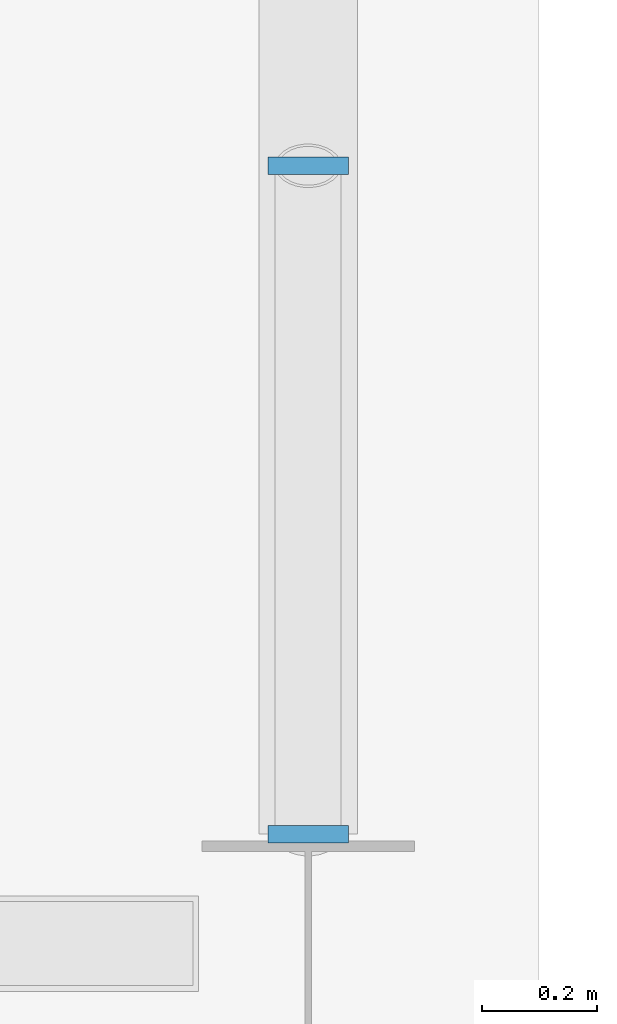
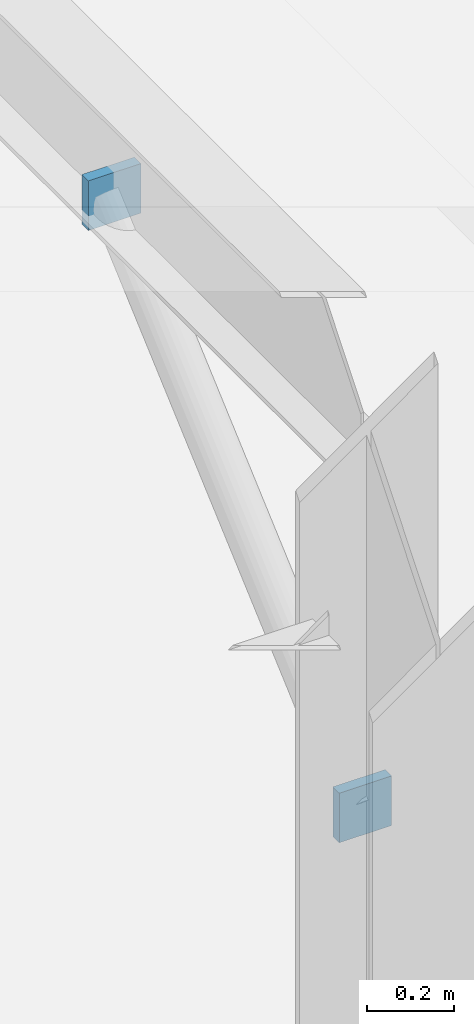
# One storey, part 68 of 95: 2 plates.
"""IFC4 building model written with IfcOpenShell, lengths in metres."""

from ifc_helpers import new_model, si_unit, direction, frame, origin, origin_2d, place, context, subcontext, project, spatial, rectangle, extrude, material, layer, layer_set, type_object, element, save


model = new_model("IFC4")

# Units and contexts
model_context = context("Model", 3, precision=1e-05, world=origin(), true_north=direction((0.0, 1.0)))
body_context = subcontext(model_context, "Body", "Model", "MODEL_VIEW")
ifc_project = project(units=[si_unit("LENGTHUNIT", "METRE"), si_unit("AREAUNIT", "SQUARE_METRE"), si_unit("VOLUMEUNIT", "CUBIC_METRE"), si_unit("PLANEANGLEUNIT", "RADIAN"), si_unit("MASSUNIT", "GRAM", prefix="KILO")], contexts=[model_context])

# Site, building, storey
site_placement = place(None, origin())
site = spatial("IfcSite", under=ifc_project, at=site_placement, CompositionType="ELEMENT")
building_placement = place(site_placement, origin())
building = spatial("IfcBuilding", under=site, at=building_placement, Name="Zantavel Square City Hall", CompositionType="ELEMENT")
storey_placement = place(building_placement, origin())
storey = spatial("IfcBuildingStorey", under=building, at=storey_placement, Name="L01", CompositionType="ELEMENT", Elevation=0.0)

# Plates
ifc_material = material(Name="Steel ASTM A572 Grade 50", Category="steel")
ifc_layer = layer(ifc_material, 0.011962890625, Name="Steel ASTM A572 Grade 50")
ifc_layer_set = layer_set([ifc_layer], Name="Steel ASTM A572 Grade 50")
plate_type = type_object("IfcPlateType", Name="CHS 114 End Cap Plate 12mm", PredefinedType="SHEET", material=ifc_layer_set)
for number, where, z_axis, x_axis, name in (
    (1, (96.0, 22.989990234375, 3.0302734375), (0.0, 0.0, 1.0), (1.0, 0.0, 0.0), "Canopy Strut Cap Plate 96-1"),
    (2, (96.0, 24.14990234375, 4.05517578125), (0.0, 0.0, 1.0), (1.0, 0.0, 0.0), "Canopy Strut Cap Plate 96-2"),
):
    element("IfcPlate", number, at=place(storey_placement, frame(where, z_axis=z_axis, x_axis=x_axis)), inside=storey, type_object=plate_type, Name=name, PredefinedType="SHEET", context=body_context, shape_type="SweptSolid", body=[
        extrude(rectangle(XDim=0.139892578125, YDim=0.030029296875, at=origin_2d()), origin(), (0.0, 0.0, 1.0), 0.139892578125),
    ])

save(model, "model.ifc")
